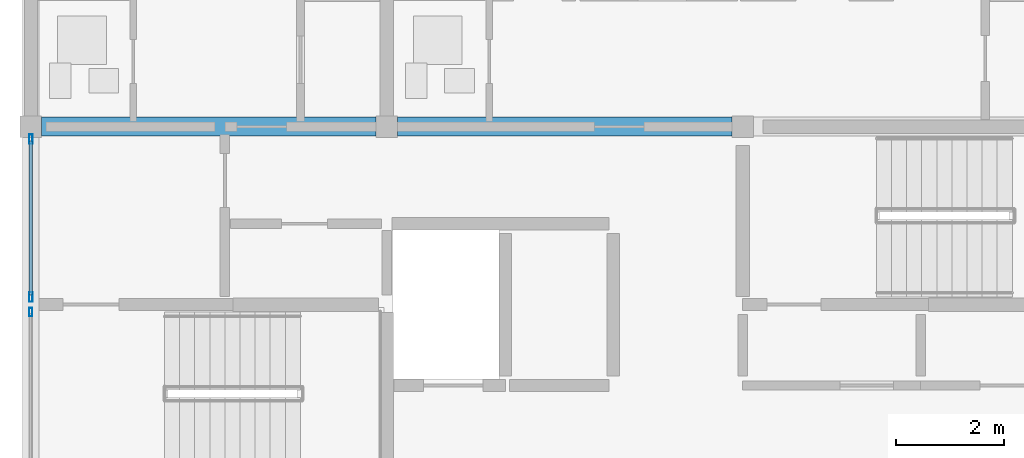
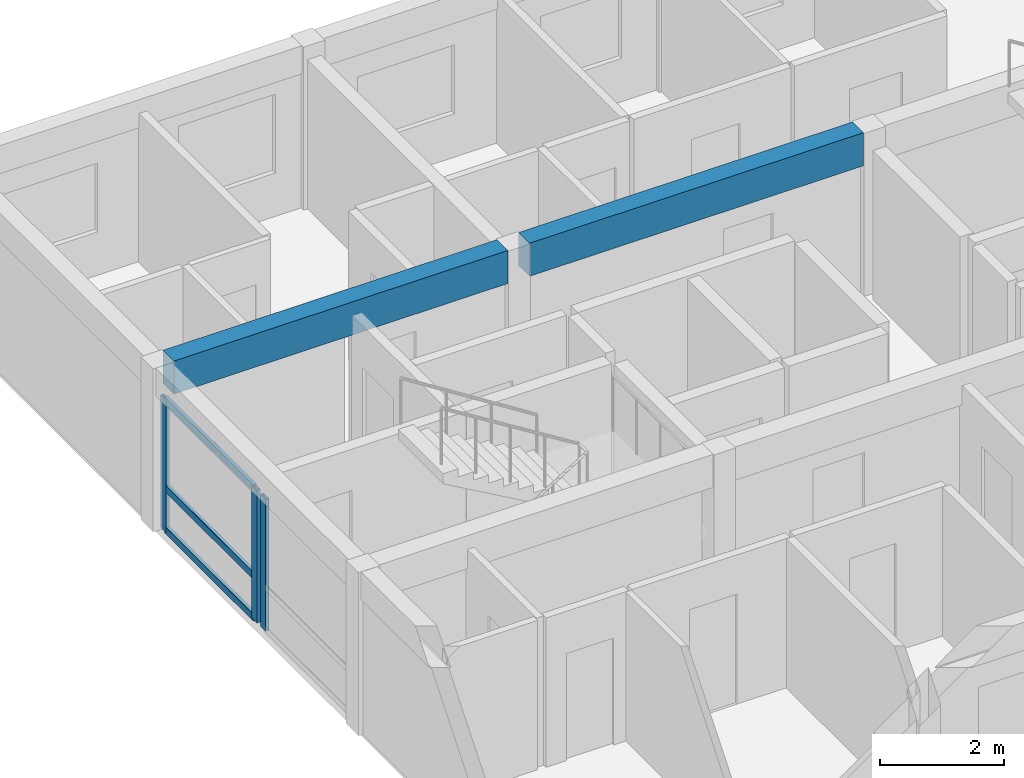
# One storey, part 4 of 12: 6 members, 2 beams, 2 elements without a shape of their own.
"""IFC4 building model written with IfcOpenShell, lengths in metres."""

from ifc_helpers import new_model, si_unit, direction, frame, origin, origin_2d, place, context, subcontext, project, spatial, rectangle, hollow_rectangle, extrude, material, material_profile, profile_set, type_object, element, aggregate, save


model = new_model("IFC4")

# Units and contexts
model_context = context("Model", 3, precision=1e-05, world=origin(), true_north=direction((0.0, 1.0)))
body_context = subcontext(model_context, "Body", "Model", "MODEL_VIEW")
ifc_project = project(units=[si_unit("LENGTHUNIT", "METRE"), si_unit("AREAUNIT", "SQUARE_METRE"), si_unit("VOLUMEUNIT", "CUBIC_METRE"), si_unit("PLANEANGLEUNIT", "RADIAN"), si_unit("MASSUNIT", "GRAM", prefix="KILO")], contexts=[model_context])

# Site, building, storey
site_placement = place(None, origin())
site = spatial("IfcSite", under=ifc_project, at=site_placement, CompositionType="ELEMENT")
building_placement = place(site_placement, origin())
building = spatial("IfcBuilding", under=site, at=building_placement, Name="Kernevlak Ridge Housing Community", CompositionType="ELEMENT")
storey_placement = place(building_placement, frame((0.0, 0.0, 56.39990234375)))
storey = spatial("IfcBuildingStorey", under=building, at=storey_placement, Name="L17", CompositionType="ELEMENT", Elevation=56.39990234375)

# Beams
ifc_material_1 = material(Name="Concrete C35/45", Category="concrete")
ifc_material_profile_1 = material_profile(ifc_material_1, rectangle(XDim=0.35009765625, YDim=0.64990234375, at=origin_2d()), Name="RC 350x650")
ifc_profile_set_1 = profile_set([ifc_material_profile_1], Name="Concrete C35/45")
beam_type = type_object("IfcBeamType", Name="B-02", PredefinedType="BEAM", material=ifc_profile_set_1)
beam_1_placement = place(storey_placement, frame((15.800048828125, 89.199951171875, 2.875), z_axis=(1.0, 0.0, 0.0), x_axis=(0.0, 1.0, 0.0)))
element("IfcBeam", 1, at=beam_1_placement, inside=storey, type_object=beam_type, Name="Beam B-02 L17 507", PredefinedType="BEAM", context=body_context, shape_type="SweptSolid", body=[
    extrude(rectangle(XDim=0.35009765625, YDim=0.64990234375, at=origin_2d()), origin(), (0.0, 0.0, 1.0), 6.199951171875),
])
beam_2_placement = place(storey_placement, frame((22.39990234375, 89.199951171875, 2.875), z_axis=(1.0, 0.0, 0.0), x_axis=(0.0, 1.0, 0.0)))
element("IfcBeam", 2, at=beam_2_placement, inside=storey, type_object=beam_type, Name="Beam B-02 L17 508", PredefinedType="BEAM", context=body_context, shape_type="SweptSolid", body=[
    extrude(rectangle(XDim=0.35009765625, YDim=0.64990234375, at=origin_2d()), origin(), (0.0, 0.0, 1.0), 6.2001953125),
])

# Curtain wall, member
ifc_material_2 = material(Name="Aluminium EN AW-6060 anodised and laminated glass", Category="aluminium")
curtain_wall_type_1 = type_object("IfcCurtainWallType", Name="CW-01", PredefinedType="NOTDEFINED", material=ifc_material_2)
curtain_wall_1_placement = place(storey_placement, origin())
curtain_wall_1 = element("IfcCurtainWall", 3, at=curtain_wall_1_placement, inside=storey, type_object=curtain_wall_type_1, Name="Curtain wall CW-01 CW-L17-052", PredefinedType="NOTDEFINED")
ifc_material_3 = material(Name="Aluminium EN AW-6060 anodised", Category="aluminium")
ifc_material_profile_2 = material_profile(ifc_material_3, hollow_rectangle(XDim=0.06005859375, YDim=0.159912109375, WallThickness=0.00390625, InnerFilletRadius=0.001953125, OuterFilletRadius=0.00390625, at=origin_2d()), Name="ALU 60x160x4")
ifc_profile_set_2 = profile_set([ifc_material_profile_2], Name="Aluminium EN AW-6060 anodised")
member_type_1 = type_object("IfcMemberType", Name="MU-02", PredefinedType="MULLION", material=ifc_profile_set_2)
member_1_placement = place(storey_placement, frame((15.60009765625, 85.760009765625, 0.0), z_axis=(0.0, 0.0, 1.0), x_axis=(-1.0, 0.0, 0.0)))
member_1 = element("IfcMember", 4, at=member_1_placement, type_object=member_type_1, Name="CW-01 mullion 2", PredefinedType="MULLION", context=body_context, shape_type="SweptSolid", body=[
    extrude(hollow_rectangle(XDim=0.06005859375, YDim=0.159912109375, WallThickness=0.00390625, InnerFilletRadius=0.001953125, OuterFilletRadius=0.00390625, at=origin_2d()), origin(), (0.0, 0.0, 1.0), 2.60009765625),
])
aggregate(curtain_wall_1, [member_1])

# Curtain wall, members
curtain_wall_type_2 = type_object("IfcCurtainWallType", Name="CW-06", PredefinedType="NOTDEFINED", material=ifc_material_2)
curtain_wall_2_placement = place(storey_placement, origin())
curtain_wall_2 = element("IfcCurtainWall", 5, at=curtain_wall_2_placement, inside=storey, type_object=curtain_wall_type_2, Name="Curtain wall CW-06 CW-L17-053", PredefinedType="NOTDEFINED")
ifc_material_profile_3 = material_profile(ifc_material_3, hollow_rectangle(XDim=0.06494140625, YDim=0.179931640625, WallThickness=0.00439453125, InnerFilletRadius=0.001953125, OuterFilletRadius=0.00439453125, at=origin_2d()), Name="ALU 65x180x4.5")
ifc_profile_set_3 = profile_set([ifc_material_profile_3], Name="Aluminium EN AW-6060 anodised")
member_type_2 = type_object("IfcMemberType", Name="MU-03", PredefinedType="MULLION", material=ifc_profile_set_3)
member_2_placement = place(storey_placement, frame((15.60009765625, 86.04248046875, 0.0), z_axis=(0.0, 0.0, 1.0), x_axis=(-1.0, 0.0, 0.0)))
member_2 = element("IfcMember", 6, at=member_2_placement, type_object=member_type_2, Name="CW-06 mullion 1", PredefinedType="MULLION", context=body_context, shape_type="SweptSolid", body=[
    extrude(hollow_rectangle(XDim=0.06494140625, YDim=0.179931640625, WallThickness=0.00439453125, InnerFilletRadius=0.001953125, OuterFilletRadius=0.00439453125, at=origin_2d()), origin(), (0.0, 0.0, 1.0), 2.60009765625),
])
member_3_placement = place(storey_placement, frame((15.60009765625, 88.967529296875, 0.0), z_axis=(0.0, 0.0, 1.0), x_axis=(-1.0, 0.0, 0.0)))
member_3 = element("IfcMember", 7, at=member_3_placement, type_object=member_type_2, Name="CW-06 mullion 2", PredefinedType="MULLION", context=body_context, shape_type="SweptSolid", body=[
    extrude(hollow_rectangle(XDim=0.06494140625, YDim=0.179931640625, WallThickness=0.00439453125, InnerFilletRadius=0.001953125, OuterFilletRadius=0.00439453125, at=origin_2d()), origin(), (0.0, 0.0, 1.0), 2.60009765625),
])
ifc_material_profile_4 = material_profile(ifc_material_3, hollow_rectangle(XDim=0.06494140625, YDim=0.139892578125, WallThickness=0.00390625, InnerFilletRadius=0.001953125, OuterFilletRadius=0.00390625, at=origin_2d()), Name="ALU 65x140x4")
ifc_profile_set_4 = profile_set([ifc_material_profile_4], Name="Aluminium EN AW-6060 anodised")
member_type_3 = type_object("IfcMemberType", Name="TM-03", PredefinedType="USERDEFINED", material=ifc_profile_set_4)
member_4_placement = place(storey_placement, frame((15.60009765625, 86.074951171875, 0.03271484375), z_axis=(0.0, 1.0, 0.0), x_axis=(-1.0, 0.0, 0.0)))
member_4 = element("IfcMember", 8, at=member_4_placement, type_object=member_type_3, Name="CW-06 transom 1.1", ObjectType="TRANSOM", PredefinedType="USERDEFINED", context=body_context, shape_type="SweptSolid", body=[
    extrude(hollow_rectangle(XDim=0.06494140625, YDim=0.139892578125, WallThickness=0.00390625, InnerFilletRadius=0.001953125, OuterFilletRadius=0.00390625, at=origin_2d()), origin(), (0.0, 0.0, 1.0), 2.860107421875),
])
member_5_placement = place(storey_placement, frame((15.60009765625, 86.074951171875, 0.85009765625), z_axis=(0.0, 1.0, 0.0), x_axis=(-1.0, 0.0, 0.0)))
member_5 = element("IfcMember", 9, at=member_5_placement, type_object=member_type_3, Name="CW-06 transom 1.2", ObjectType="TRANSOM", PredefinedType="USERDEFINED", context=body_context, shape_type="SweptSolid", body=[
    extrude(hollow_rectangle(XDim=0.06494140625, YDim=0.139892578125, WallThickness=0.00390625, InnerFilletRadius=0.001953125, OuterFilletRadius=0.00390625, at=origin_2d()), origin(), (0.0, 0.0, 1.0), 2.860107421875),
])
member_6_placement = place(storey_placement, frame((15.60009765625, 86.074951171875, 2.567626953125), z_axis=(0.0, 1.0, 0.0), x_axis=(-1.0, 0.0, 0.0)))
member_6 = element("IfcMember", 10, at=member_6_placement, type_object=member_type_3, Name="CW-06 transom 1.3", ObjectType="TRANSOM", PredefinedType="USERDEFINED", context=body_context, shape_type="SweptSolid", body=[
    extrude(hollow_rectangle(XDim=0.06494140625, YDim=0.139892578125, WallThickness=0.00390625, InnerFilletRadius=0.001953125, OuterFilletRadius=0.00390625, at=origin_2d()), origin(), (0.0, 0.0, 1.0), 2.860107421875),
])
aggregate(curtain_wall_2, [member_2, member_3, member_4, member_5, member_6])

save(model, "model.ifc")
